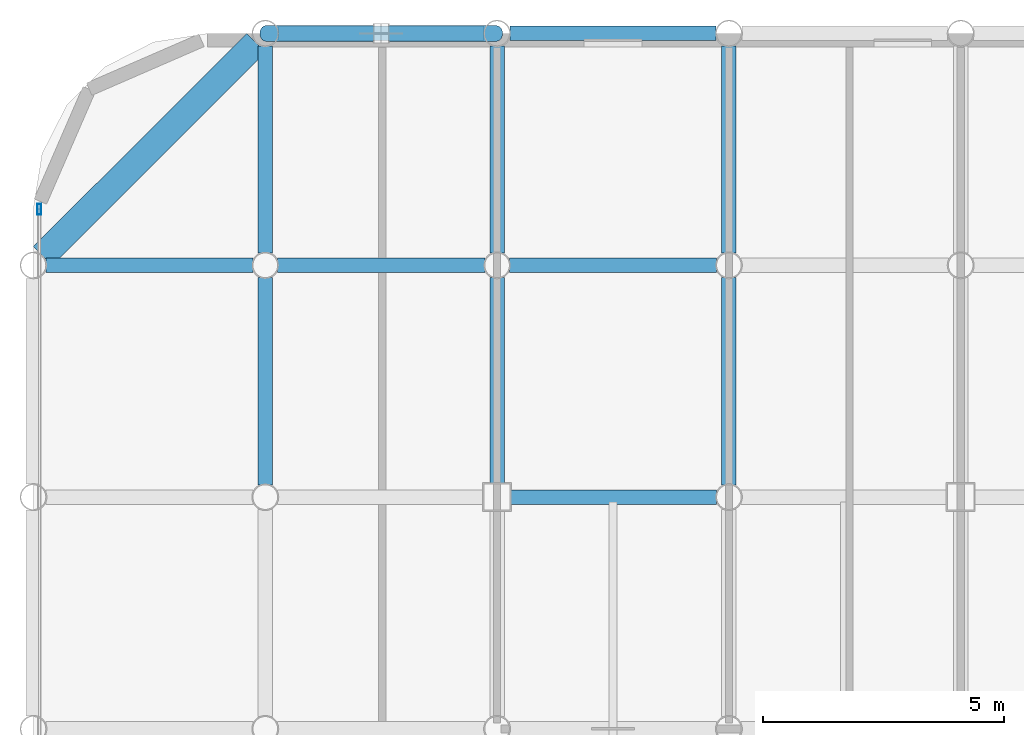
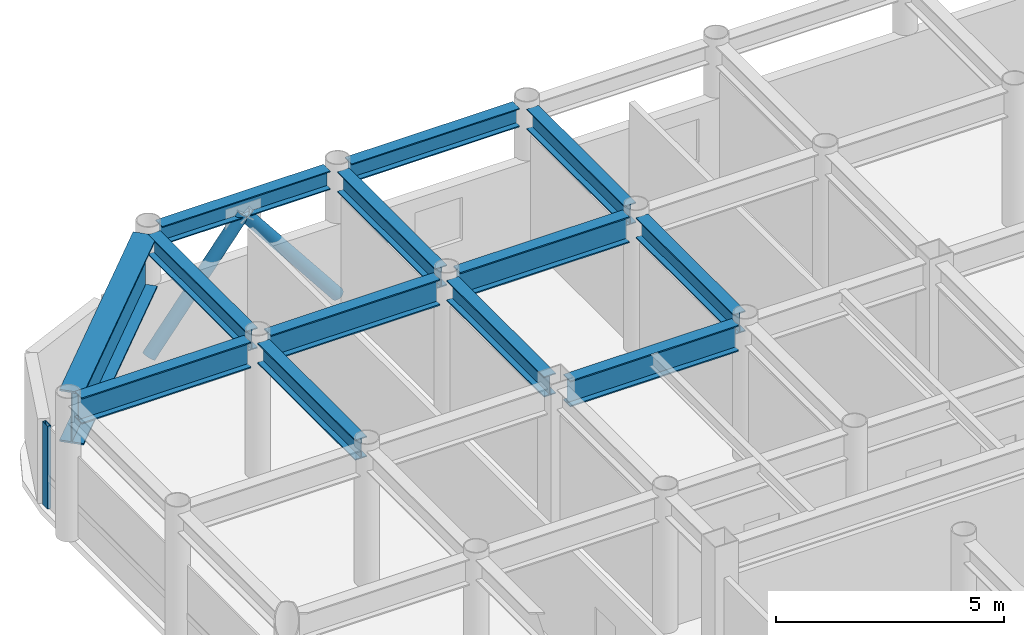
# One storey, part 12 of 22: 13 beams, 3 members, 1 element without a shape of its own.
"""IFC4 building model written with IfcOpenShell, lengths in metres."""

from ifc_helpers import new_model, si_unit, direction, frame, origin, origin_2d, place, context, subcontext, project, spatial, hollow_rectangle, hollow_circle, i_section, extrude, material, layer, layer_set, material_profile, profile_set, type_object, element, aggregate, save


model = new_model("IFC4")

# Units and contexts
model_context = context("Model", 3, precision=1e-05, world=origin(), true_north=direction((0.0, 1.0)))
body_context = subcontext(model_context, "Body", "Model", "MODEL_VIEW")
ifc_project = project(units=[si_unit("LENGTHUNIT", "METRE"), si_unit("AREAUNIT", "SQUARE_METRE"), si_unit("VOLUMEUNIT", "CUBIC_METRE"), si_unit("PLANEANGLEUNIT", "RADIAN"), si_unit("MASSUNIT", "GRAM", prefix="KILO")], contexts=[model_context])

# Site, building, storey
site_placement = place(None, origin())
site = spatial("IfcSite", under=ifc_project, at=site_placement, CompositionType="ELEMENT")
building_placement = place(site_placement, origin())
building = spatial("IfcBuilding", under=site, at=building_placement, Name="Kallvorn Hotel Tower", CompositionType="ELEMENT")
storey_placement = place(building_placement, frame((0.0, 0.0, 260.800048828125)))
storey = spatial("IfcBuildingStorey", under=building, at=storey_placement, Name="L65", CompositionType="ELEMENT", Elevation=260.800048828125)

# Beams
ifc_material_1 = material(Name="Structural steel S355JR", Category="steel")
ifc_material_profile_1 = material_profile(ifc_material_1, i_section(OverallWidth=0.300048828125, OverallDepth=0.5, WebThickness=0.014404296875, FlangeThickness=0.028076171875, at=origin_2d()), Name="HE 500 B")
ifc_profile_set_1 = profile_set([ifc_material_profile_1], Name="Structural steel S355JR")
beam_type_1 = type_object("IfcBeamType", Name="BM_HE500B", PredefinedType="SPANDREL", material=ifc_profile_set_1)
for number, where, z_axis, x_axis, name in (
    (1, (-28.530517578125, 24.0, 3.419921875), (1.0, 0.0, 0.0), (0.0, 1.0, 0.0), "L66 Perimeter Spandrel 163"),
    (2, (-23.73046875, 24.0, 3.419921875), (1.0, 0.0, 0.0), (0.0, 1.0, 0.0), "L66 Perimeter Spandrel 164"),
):
    element("IfcBeam", number, at=place(storey_placement, frame(where, z_axis=z_axis, x_axis=x_axis)), inside=storey, type_object=beam_type_1, Name=name, PredefinedType="SPANDREL", context=body_context, shape_type="SweptSolid", body=[
        extrude(i_section(OverallWidth=0.300048828125, OverallDepth=0.5, WebThickness=0.014404296875, FlangeThickness=0.028076171875, at=origin_2d()), origin(), (0.0, 0.0, 1.0), 4.260986328125),
    ])
ifc_material_2 = material(Name="Structural steel S355JR", Category="steel")
ifc_material_profile_2 = material_profile(ifc_material_2, i_section(OverallWidth=0.300048828125, OverallDepth=0.550048828125, WebThickness=0.014892578125, FlangeThickness=0.029052734375, at=origin_2d()), Name="HE 550 B")
ifc_profile_set_2 = profile_set([ifc_material_profile_2], Name="Structural steel S355JR")
beam_type_2 = type_object("IfcBeamType", Name="BM_HE550B", PredefinedType="SPANDREL", material=ifc_profile_set_2)
for number, where, z_axis, x_axis, name in (
    (3, (-28.800048828125, 14.654541015625, 3.39501953125), (0.0, 1.0, 0.0), (-1.0, 0.0, 0.0), "L66 Primary Y-Girder 80"),
    (4, (-28.800048828125, 19.45458984375, 3.39501953125), (0.0, 1.0, 0.0), (-1.0, 0.0, 0.0), "L66 Primary Y-Girder 81"),
):
    element("IfcBeam", number, at=place(storey_placement, frame(where, z_axis=z_axis, x_axis=x_axis)), inside=storey, type_object=beam_type_2, Name=name, PredefinedType="SPANDREL", context=body_context, shape_type="SweptSolid", body=[
        extrude(i_section(OverallWidth=0.300048828125, OverallDepth=0.550048828125, WebThickness=0.014892578125, FlangeThickness=0.029052734375, at=origin_2d()), origin(), (0.0, 0.0, 1.0), 4.291015625),
    ])
beam_1_placement = place(storey_placement, frame((-24.0, 14.675048828125, 3.39501953125), z_axis=(0.0, 1.0, 0.0), x_axis=(-1.0, 0.0, 0.0)))
element("IfcBeam", 5, at=beam_1_placement, inside=storey, type_object=beam_type_2, Name="L66 Primary Y-Girder 87", PredefinedType="SPANDREL", context=body_context, shape_type="SweptSolid", body=[
    extrude(i_section(OverallWidth=0.300048828125, OverallDepth=0.550048828125, WebThickness=0.014892578125, FlangeThickness=0.029052734375, at=origin_2d()), origin(), (0.0, 0.0, 1.0), 4.2705078125),
])
for number, where, z_axis, x_axis, name in (
    (6, (-24.0, 19.45458984375, 3.39501953125), (0.0, 1.0, 0.0), (-1.0, 0.0, 0.0), "L66 Primary Y-Girder 88"),
    (7, (-19.199951171875, 14.654541015625, 3.39501953125), (0.0, 1.0, 0.0), (-1.0, 0.0, 0.0), "L66 Primary Y-Girder 96"),
    (8, (-19.199951171875, 19.45458984375, 3.39501953125), (0.0, 1.0, 0.0), (-1.0, 0.0, 0.0), "L66 Primary Y-Girder 97"),
):
    element("IfcBeam", number, at=place(storey_placement, frame(where, z_axis=z_axis, x_axis=x_axis)), inside=storey, type_object=beam_type_2, Name=name, PredefinedType="SPANDREL", context=body_context, shape_type="SweptSolid", body=[
        extrude(i_section(OverallWidth=0.300048828125, OverallDepth=0.550048828125, WebThickness=0.014892578125, FlangeThickness=0.029052734375, at=origin_2d()), origin(), (0.0, 0.0, 1.0), 4.291015625),
    ])
ifc_material_3 = material(Name="Structural steel S355JR", Category="steel")
ifc_material_profile_3 = material_profile(ifc_material_3, i_section(OverallWidth=0.300048828125, OverallDepth=0.699951171875, WebThickness=0.01708984375, FlangeThickness=0.031982421875, at=origin_2d()), Name="HE 700 B")
ifc_profile_set_3 = profile_set([ifc_material_profile_3], Name="Structural steel S355JR")
beam_type_3 = type_object("IfcBeamType", Name="BM_HE700B", PredefinedType="BEAM", material=ifc_profile_set_3)
beam_2_placement = place(storey_placement, frame((-23.72509765625, 14.39990234375, 3.320068359375), z_axis=(1.0, 0.0, 0.0), x_axis=(0.0, 1.0, 0.0)))
element("IfcBeam", 9, at=beam_2_placement, inside=storey, type_object=beam_type_3, Name="L66 Primary X-Girder 52", PredefinedType="BEAM", context=body_context, shape_type="SweptSolid", body=[
    extrude(i_section(OverallWidth=0.300048828125, OverallDepth=0.699951171875, WebThickness=0.01708984375, FlangeThickness=0.031982421875, at=origin_2d()), origin(), (0.0, 0.0, 1.0), 4.2705078125),
])
for number, where, z_axis, x_axis, name in (
    (10, (-33.345458984375, 19.199951171875, 3.320068359375), (1.0, 0.0, 0.0), (0.0, 1.0, 0.0), "L66 Primary X-Girder 60"),
    (11, (-28.54541015625, 19.199951171875, 3.320068359375), (1.0, 0.0, 0.0), (0.0, 1.0, 0.0), "L66 Primary X-Girder 61"),
    (12, (-23.74560546875, 19.199951171875, 3.320068359375), (1.0, 0.0, 0.0), (0.0, 1.0, 0.0), "L66 Primary X-Girder 62"),
):
    element("IfcBeam", number, at=place(storey_placement, frame(where, z_axis=z_axis, x_axis=x_axis)), inside=storey, type_object=beam_type_3, Name=name, PredefinedType="BEAM", context=body_context, shape_type="SweptSolid", body=[
        extrude(i_section(OverallWidth=0.300048828125, OverallDepth=0.699951171875, WebThickness=0.01708984375, FlangeThickness=0.031982421875, at=origin_2d()), origin(), (0.0, 0.0, 1.0), 4.291015625),
    ])
ifc_material_4 = material(Name="Structural steel S355JR", Category="steel")
ifc_material_profile_4 = material_profile(ifc_material_4, i_section(OverallWidth=0.550048828125, OverallDepth=1.39990234375, WebThickness=0.02490234375, FlangeThickness=0.044921875, at=origin_2d()), Name="PG 1400x550x25x45")
ifc_profile_set_4 = profile_set([ifc_material_profile_4], Name="Structural steel S355JR")
beam_type_4 = type_object("IfcBeamType", Name="BM_PG_1400", PredefinedType="BEAM", material=ifc_profile_set_4)
beam_3_placement = place(storey_placement, frame((-33.409423828125, 19.390625, 2.969970703125), z_axis=(0.707126314793, 0.707087247041, 0.0), x_axis=(-0.707087247041, 0.707126314793, 0.0)))
element("IfcBeam", 13, at=beam_3_placement, inside=storey, type_object=beam_type_4, Name="L66 Rounded Corner Tie Beam 190", PredefinedType="BEAM", context=body_context, shape_type="SweptSolid", body=[
    extrude(i_section(OverallWidth=0.550048828125, OverallDepth=1.39990234375, WebThickness=0.02490234375, FlangeThickness=0.044921875, at=origin_2d()), origin(), (0.0, 0.0, 1.0), 6.249267578125),
])

# Curtain wall, member
ifc_material_5 = material(Name="Thermally broken black-anodised aluminium AA 6063-T6", Category="aluminium")
ifc_layer = layer(ifc_material_5, 0.22998046875)
ifc_layer_set = layer_set([ifc_layer], Name="CW_SYS_5_HOTEL_HIGH")
curtain_wall_type = type_object("IfcCurtainWallType", Name="CW_SYS_5_HOTEL_HIGH", PredefinedType="USERDEFINED", material=ifc_layer_set)
curtain_wall_placement = place(storey_placement, origin())
curtain_wall = element("IfcCurtainWall", 14, at=curtain_wall_placement, inside=storey, type_object=curtain_wall_type, Name="L65 Dark-Glass Curtain Wall CW-L65-WN", ObjectType="UNITISED CURTAIN WALL", PredefinedType="USERDEFINED")
ifc_material_6 = material(Name="Thermally broken black-anodised aluminium AA 6063-T6", Category="aluminium")
ifc_material_profile_5 = material_profile(ifc_material_6, hollow_rectangle(XDim=0.080078125, YDim=0.219970703125, WallThickness=0.0048828125, at=origin_2d()), Name="MUL 220x80")
ifc_profile_set_5 = profile_set([ifc_material_profile_5], Name="Thermally broken black-anodised aluminium AA 6063-T6")
member_type_1 = type_object("IfcMemberType", Name="CW_MULLION_220x80", PredefinedType="MULLION", material=ifc_profile_set_5)
member_placement = place(storey_placement, frame((-33.47998046875, 20.360107421875, 0.02001953125), z_axis=(0.0, 0.0, 1.0), x_axis=(1.0, 0.0, 0.0)))
member = element("IfcMember", 15, at=member_placement, type_object=member_type_1, Name="CW-L65-WN Mullion 01", PredefinedType="MULLION", context=body_context, shape_type="SweptSolid", body=[
    extrude(hollow_rectangle(XDim=0.080078125, YDim=0.219970703125, WallThickness=0.0048828125, at=origin_2d()), origin(), (0.0, 0.0, 1.0), 2.22998046875),
])
aggregate(curtain_wall, [member])

# Members
ifc_material_7 = material(Name="Structural steel S355J2H", Category="steel")
ifc_material_profile_6 = material_profile(ifc_material_7, hollow_circle(Radius=0.161865234375, WallThickness=0.012451171875, at=origin_2d()), Name="CHS 323.9x12.5")
ifc_profile_set_6 = profile_set([ifc_material_profile_6], Name="Structural steel S355J2H")
member_type_2 = type_object("IfcMemberType", Name="MBR_EXO_CHS323", PredefinedType="BRACE", material=ifc_profile_set_6)
for number, where, z_axis, x_axis, name in (
    (16, (-28.78759765625, 24.0, 0.195556640625), (0.62089744796, 0.0, 0.783891803196), (0.0, 1.0, 0.0), "L65 Exoskeleton K-Brace N1A"),
    (17, (-24.012451171875, 24.0, 0.195556640625), (-0.62089744796, 0.0, 0.783891803196), (0.0, -1.0, 0.0), "L65 Exoskeleton K-Brace N1B"),
):
    element("IfcMember", number, at=place(storey_placement, frame(where, z_axis=z_axis, x_axis=x_axis)), inside=storey, type_object=member_type_2, Name=name, PredefinedType="BRACE", context=body_context, shape_type="SweptSolid", body=[
        extrude(hollow_circle(Radius=0.161865234375, WallThickness=0.012451171875, at=origin_2d()), origin(), (0.0, 0.0, 1.0), 3.825439453125),
    ])

save(model, "model.ifc")
